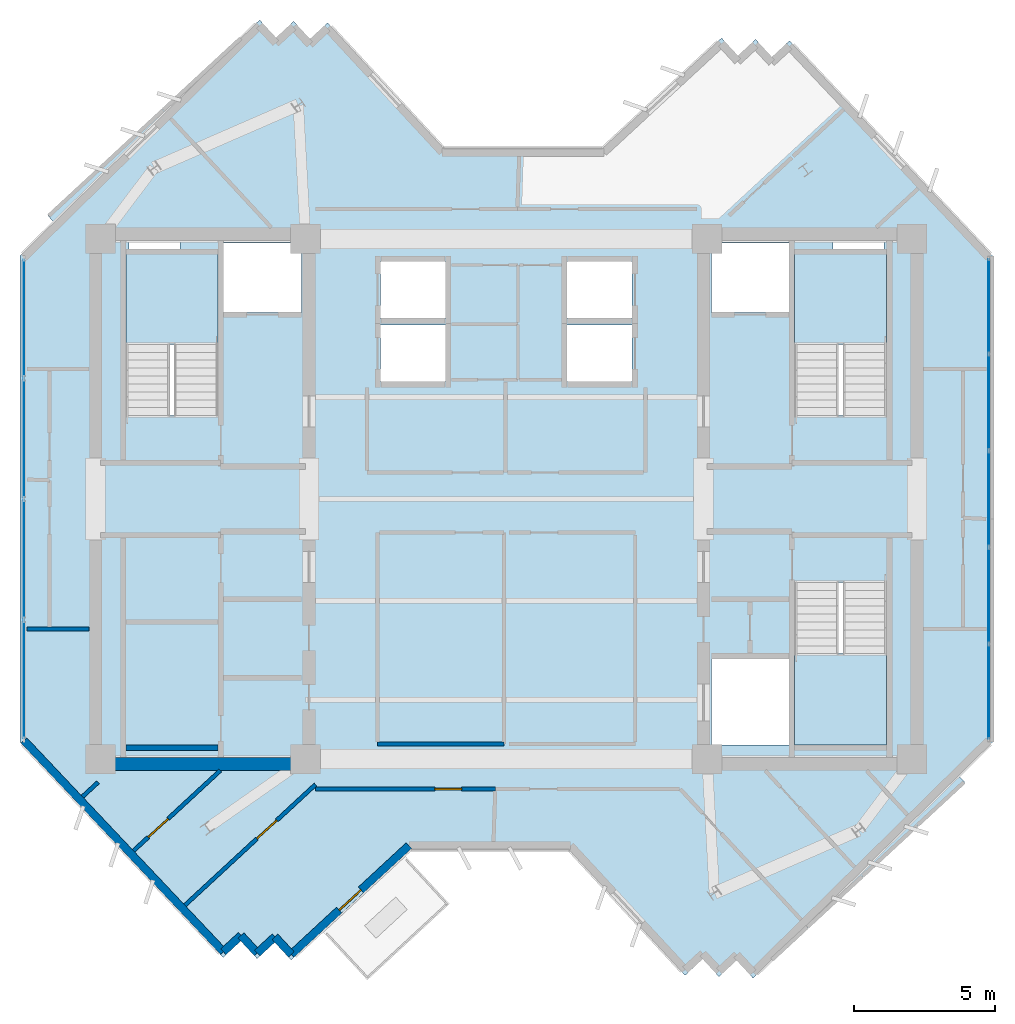
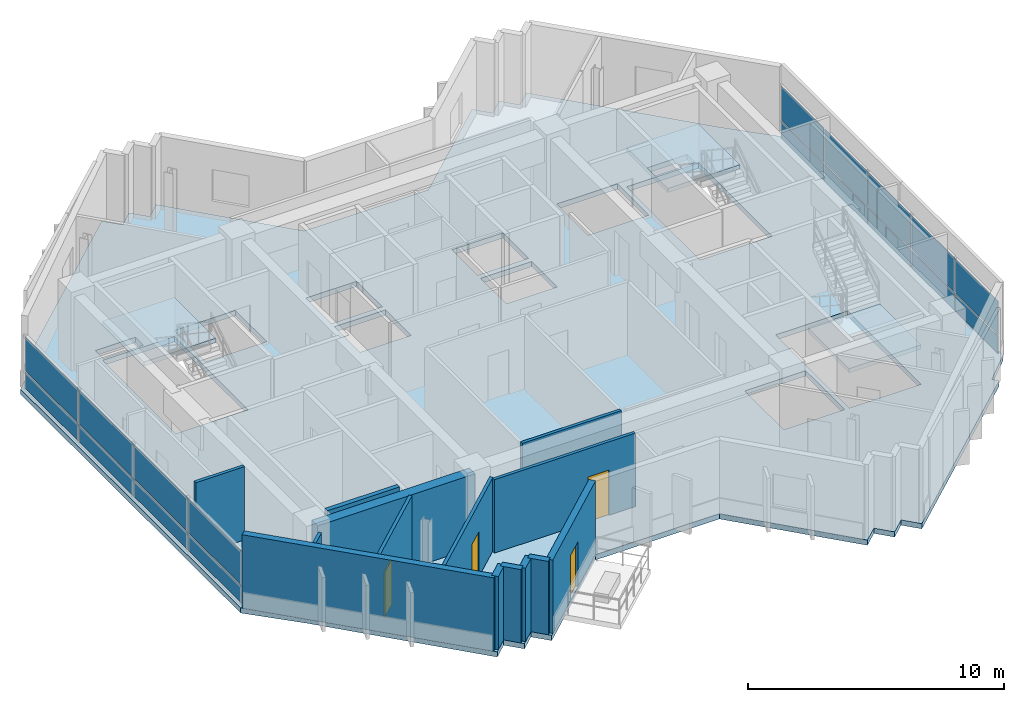
# One storey, part 3 of 9: 18 plates, 14 walls, 4 doors, 4 slabs, 4 openings, 5 elements without a shape of their own.
"""IFC4 building model written with IfcOpenShell, lengths in metres."""

from ifc_helpers import new_model, si_unit, direction, frame, frame_2d, origin, origin_2d, place, context, subcontext, project, spatial, polyline, rectangle, outline, extrude, source, transform, mapped, material, layer, layer_set, type_object, element, fill, aggregate, save


model = new_model("IFC4")

# Units and contexts
model_context = context("Model", 3, precision=1e-05, world=origin(), true_north=direction((0.0, 1.0)))
body_context = subcontext(model_context, "Body", "Model", "MODEL_VIEW")
ifc_project = project(units=[si_unit("LENGTHUNIT", "METRE"), si_unit("AREAUNIT", "SQUARE_METRE"), si_unit("VOLUMEUNIT", "CUBIC_METRE"), si_unit("PLANEANGLEUNIT", "RADIAN"), si_unit("MASSUNIT", "GRAM", prefix="KILO")], contexts=[model_context])

# Site, building, storey
site_placement = place(None, origin())
site = spatial("IfcSite", under=ifc_project, at=site_placement, CompositionType="ELEMENT")
building_placement = place(site_placement, origin())
building = spatial("IfcBuilding", under=site, at=building_placement, Name="Zahravan Cultural Tower", CompositionType="ELEMENT")
storey_placement = place(building_placement, frame((0.0, 0.0, 299.10009765625)))
storey = spatial("IfcBuildingStorey", under=building, at=storey_placement, Name="L72", CompositionType="ELEMENT", Elevation=299.10009765625)

# Stair, slab
ifc_material_1 = material(Name="Concrete C45/55", Category="concrete")
stair_type = type_object("IfcStairType", Name="STR-DL-1550-375", PredefinedType="HALF_TURN_STAIR", material=ifc_material_1)
stair_1_placement = place(storey_placement, origin())
stair_1 = element("IfcStair", 1, at=stair_1_placement, inside=storey, type_object=stair_type, Name="L72 West Core North Exit Stair ST-W1", PredefinedType="HALF_TURN_STAIR")
ifc_layer_1 = layer(ifc_material_1, 0.199951171875)
ifc_layer_set_1 = layer_set([ifc_layer_1], Name="Concrete C45/55")
slab_type_1 = type_object("IfcSlabType", Name="SL-STAIR-LND200", PredefinedType="LANDING", material=ifc_layer_set_1)
slab_1_placement = place(storey_placement, frame((0.0, 0.0, 1.6748046875)))
slab_1 = element("IfcSlab", 2, at=slab_1_placement, type_object=slab_type_1, Name="ST-W1 landing 1", PredefinedType="LANDING", context=body_context, shape_type="SweptSolid", body=[
    extrude(outline(polyline([(25.800048828125, 32.469970703125), (25.800048828125, 35.699951171875), (22.550048828125, 35.699951171875), (22.550048828125, 32.469970703125), (25.800048828125, 32.469970703125)])), origin(), (0.0, 0.0, 1.0), 0.2001953125),
])
aggregate(stair_1, [slab_1])

stair_2_placement = place(storey_placement, origin())
stair_2 = element("IfcStair", 3, at=stair_2_placement, inside=storey, type_object=stair_type, Name="L72 East Core North Exit Stair ST-E1", PredefinedType="HALF_TURN_STAIR")
slab_2_placement = place(storey_placement, frame((0.0, 0.0, 1.6748046875)))
slab_2 = element("IfcSlab", 4, at=slab_2_placement, type_object=slab_type_1, Name="ST-E1 landing 1", PredefinedType="LANDING", context=body_context, shape_type="SweptSolid", body=[
    extrude(outline(polyline([(49.449951171875, 32.469970703125), (49.449951171875, 35.699951171875), (46.199951171875, 35.699951171875), (46.199951171875, 32.469970703125), (49.449951171875, 32.469970703125)])), origin(), (0.0, 0.0, 1.0), 0.2001953125),
])
aggregate(stair_2, [slab_2])

stair_3_placement = place(storey_placement, origin())
stair_3 = element("IfcStair", 5, at=stair_3_placement, inside=storey, type_object=stair_type, Name="L72 East Core South Exit Stair ST-E2", PredefinedType="HALF_TURN_STAIR")
slab_3_placement = place(storey_placement, frame((0.0, 0.0, 1.6748046875)))
slab_3 = element("IfcSlab", 6, at=slab_3_placement, type_object=slab_type_1, Name="ST-E2 landing 1", PredefinedType="LANDING", context=body_context, shape_type="SweptSolid", body=[
    extrude(outline(polyline([(46.199951171875, 21.530029296875), (46.199951171875, 18.300048828125), (49.449951171875, 18.300048828125), (49.449951171875, 21.530029296875), (46.199951171875, 21.530029296875)])), origin(), (0.0, 0.0, 1.0), 0.2001953125),
])
aggregate(stair_3, [slab_3])

# Slab
ifc_material_2 = material(Name="Concrete C40/50", Category="concrete")
ifc_layer_2 = layer(ifc_material_2, 0.25)
ifc_layer_set_2 = layer_set([ifc_layer_2], Name="Concrete C40/50")
slab_type_2 = type_object("IfcSlabType", Name="SL-TYP-250", PredefinedType="FLOOR", material=ifc_layer_set_2)
slab_4_placement = place(storey_placement, frame((0.0, 0.0, -0.25)))
element("IfcSlab", 7, at=slab_4_placement, inside=storey, type_object=slab_type_2, Name="L72 Structural Floor Slab", PredefinedType="FLOOR", context=body_context, shape_type="SweptSolid", body=[
    extrude(outline(polyline([(39.391845703125, 39.39990234375), (33.79345703125, 39.39990234375), (29.6796875, 43.847900390625), (29.0556640625, 43.270751953125), (28.478515625, 43.894775390625), (27.8544921875, 43.3173828125), (27.27734375, 43.94140625), (19.789306640625, 37.015625), (19.994140625, 36.794189453125), (18.800048828125, 35.60009765625), (18.800048828125, 18.39990234375), (20.731689453125, 16.46826171875), (25.984375, 10.789306640625), (26.6083984375, 11.366455078125), (27.185546875, 10.742431640625), (27.8095703125, 11.319580078125), (28.38671875, 10.695556640625), (32.608154296875, 14.60009765625), (38.20654296875, 14.60009765625), (42.3203125, 10.152099609375), (42.9443359375, 10.729248046875), (43.521484375, 10.105224609375), (44.1455078125, 10.6826171875), (44.72265625, 10.05859375), (52.210693359375, 16.984375), (52.005859375, 17.205810546875), (53.199951171875, 18.39990234375), (53.199951171875, 35.60009765625), (51.268310546875, 37.53173828125), (46.015625, 43.210693359375), (45.3916015625, 42.633544921875), (44.814453125, 43.257568359375), (44.1904296875, 42.680419921875), (43.61328125, 43.304443359375), (39.391845703125, 39.39990234375)]), holes=[polyline([(22.550048828125, 29.949951171875), (22.550048828125, 35.699951171875), (25.800048828125, 35.699951171875), (25.800048828125, 29.949951171875), (22.550048828125, 29.949951171875)]), polyline([(46.199951171875, 29.949951171875), (46.199951171875, 35.699951171875), (49.449951171875, 35.699951171875), (49.449951171875, 29.949951171875), (46.199951171875, 29.949951171875)]), polyline([(46.199951171875, 18.300048828125), (46.199951171875, 24.050048828125), (49.449951171875, 24.050048828125), (49.449951171875, 18.300048828125), (46.199951171875, 18.300048828125)]), polyline([(26.0, 33.60009765625), (26.0, 36.050048828125), (28.75, 36.050048828125), (28.75, 33.60009765625), (26.0, 33.60009765625)]), polyline([(43.25, 33.60009765625), (43.25, 36.050048828125), (46.0, 36.050048828125), (46.0, 33.60009765625), (43.25, 33.60009765625)]), polyline([(43.25, 18.300048828125), (43.25, 21.35009765625), (46.0, 21.35009765625), (46.0, 18.300048828125), (43.25, 18.300048828125)]), polyline([(31.550048828125, 33.39990234375), (31.550048828125, 35.39990234375), (33.85009765625, 35.39990234375), (33.85009765625, 33.39990234375), (31.550048828125, 33.39990234375)]), polyline([(31.550048828125, 31.14990234375), (31.550048828125, 33.14990234375), (33.85009765625, 33.14990234375), (33.85009765625, 31.14990234375), (31.550048828125, 31.14990234375)]), polyline([(38.14990234375, 33.39990234375), (38.14990234375, 35.39990234375), (40.449951171875, 35.39990234375), (40.449951171875, 33.39990234375), (38.14990234375, 33.39990234375)]), polyline([(38.14990234375, 31.14990234375), (38.14990234375, 33.14990234375), (40.449951171875, 33.14990234375), (40.449951171875, 31.14990234375), (38.14990234375, 31.14990234375)]), polyline([(22.64990234375, 35.800048828125), (22.64990234375, 36.419921875), (24.449951171875, 36.419921875), (24.449951171875, 35.800048828125), (22.64990234375, 35.800048828125)]), polyline([(47.550048828125, 35.800048828125), (47.550048828125, 36.419921875), (49.35009765625, 36.419921875), (49.35009765625, 35.800048828125), (47.550048828125, 35.800048828125)])]), origin(), (0.0, 0.0, 1.0), 0.25),
])

# Curtain wall, plates
ifc_material_3 = material(Name="Anodised bronze-aluminium mullion", Category="aluminium")
ifc_layer_3 = layer(ifc_material_3, 0.1650390625)
ifc_layer_set_3 = layer_set([ifc_layer_3], Name="Anodised bronze-aluminium mullion")
curtain_wall_type_1 = type_object("IfcCurtainWallType", Name="CW-SYS-4", PredefinedType="USERDEFINED", material=ifc_layer_set_3)
curtain_wall_1_placement = place(storey_placement, origin())
curtain_wall_1 = element("IfcCurtainWall", 8, at=curtain_wall_1_placement, inside=storey, type_object=curtain_wall_type_1, Name="L72 Recessed Curtain Wall CW-4.1", ObjectType="RECESSED GLAZING", PredefinedType="USERDEFINED")
ifc_material_4 = material(Name="Low-E solar-control double glazing", Category="glass")
ifc_layer_4 = layer(ifc_material_4, 0.02587890625)
ifc_layer_set_4 = layer_set([ifc_layer_4], Name="Low-E solar-control double glazing")
plate_type_1 = type_object("IfcPlateType", Name="CWP-CW-4", PredefinedType="CURTAIN_PANEL", material=ifc_layer_set_4)
shared_shape_1 = source(origin(), body_context, "Body", "SweptSolid", [
    extrude(rectangle(XDim=3.3193359375, YDim=0.02587890625, at=origin_2d()), origin(), (0.0, 0.0, 1.0), 0.802490234375),
])
plate_1_placement = place(storey_placement, frame((53.06005859375, 33.8173828125, 0.06494140625), z_axis=(0.0, 0.0, 1.0), x_axis=(0.0, -1.0, 0.0)))
plate_1 = element("IfcPlate", 9, at=plate_1_placement, type_object=plate_type_1, Name="CW-4 panel 1.1", PredefinedType="CURTAIN_PANEL", context=body_context, shape_type="MappedRepresentation", body=[
    mapped(shared_shape_1, transform((0.0, 0.0, 0.0), x_axis=(1.0, 0.0, 0.0), y_axis=(0.0, 1.0, 0.0), z_axis=(0.0, 0.0, 1.0), scale=1.0)),
])
plate_2_placement = place(storey_placement, frame((53.06005859375, 20.1826171875, 0.06494140625), z_axis=(0.0, 0.0, 1.0), x_axis=(0.0, -1.0, 0.0)))
plate_2 = element("IfcPlate", 10, at=plate_2_placement, type_object=plate_type_1, Name="CW-4 panel 5.1", PredefinedType="CURTAIN_PANEL", context=body_context, shape_type="MappedRepresentation", body=[
    mapped(shared_shape_1, transform((0.0, 0.0, 0.0), x_axis=(1.0, 0.0, 0.0), y_axis=(0.0, 1.0, 0.0), z_axis=(0.0, 0.0, 1.0), scale=1.0)),
])
shared_shape_2 = source(origin(), body_context, "Body", "SweptSolid", [
    extrude(rectangle(XDim=3.3193359375, YDim=0.02587890625, at=origin_2d()), origin(), (0.0, 0.0, 1.0), 1.62255859375),
])
plate_3_placement = place(storey_placement, frame((53.06005859375, 33.8173828125, 0.932373046875), z_axis=(0.0, 0.0, 1.0), x_axis=(0.0, -1.0, 0.0)))
plate_3 = element("IfcPlate", 11, at=plate_3_placement, type_object=plate_type_1, Name="CW-4 panel 1.2", PredefinedType="CURTAIN_PANEL", context=body_context, shape_type="MappedRepresentation", body=[
    mapped(shared_shape_2, transform((0.0, 0.0, 0.0), x_axis=(1.0, 0.0, 0.0), y_axis=(0.0, 1.0, 0.0), z_axis=(0.0, 0.0, 1.0), scale=1.0)),
])
plate_4_placement = place(storey_placement, frame((53.06005859375, 20.1826171875, 0.932373046875), z_axis=(0.0, 0.0, 1.0), x_axis=(0.0, -1.0, 0.0)))
plate_4 = element("IfcPlate", 12, at=plate_4_placement, type_object=plate_type_1, Name="CW-4 panel 5.2", PredefinedType="CURTAIN_PANEL", context=body_context, shape_type="MappedRepresentation", body=[
    mapped(shared_shape_2, transform((0.0, 0.0, 0.0), x_axis=(1.0, 0.0, 0.0), y_axis=(0.0, 1.0, 0.0), z_axis=(0.0, 0.0, 1.0), scale=1.0)),
])
shared_shape_3 = source(origin(), body_context, "Body", "SweptSolid", [
    extrude(rectangle(XDim=3.351806640625, YDim=0.02587890625, at=origin_2d()), origin(), (0.0, 0.0, 1.0), 0.802490234375),
])
plate_5_placement = place(storey_placement, frame((53.06005859375, 30.416748046875, 0.06494140625), z_axis=(0.0, 0.0, 1.0), x_axis=(0.0, -1.0, 0.0)))
plate_5 = element("IfcPlate", 13, at=plate_5_placement, type_object=plate_type_1, Name="CW-4 panel 2.1", PredefinedType="CURTAIN_PANEL", context=body_context, shape_type="MappedRepresentation", body=[
    mapped(shared_shape_3, transform((0.0, 0.0, 0.0), x_axis=(1.0, 0.0, 0.0), y_axis=(0.0, 1.0, 0.0), z_axis=(0.0, 0.0, 1.0), scale=1.0)),
])
plate_6_placement = place(storey_placement, frame((53.06005859375, 27.0, 0.06494140625), z_axis=(0.0, 0.0, 1.0), x_axis=(0.0, -1.0, 0.0)))
plate_6 = element("IfcPlate", 14, at=plate_6_placement, type_object=plate_type_1, Name="CW-4 panel 3.1", PredefinedType="CURTAIN_PANEL", context=body_context, shape_type="MappedRepresentation", body=[
    mapped(shared_shape_3, transform((0.0, 0.0, 0.0), x_axis=(1.0, 0.0, 0.0), y_axis=(0.0, 1.0, 0.0), z_axis=(0.0, 0.0, 1.0), scale=1.0)),
])
plate_7_placement = place(storey_placement, frame((53.06005859375, 23.583251953125, 0.06494140625), z_axis=(0.0, 0.0, 1.0), x_axis=(0.0, -1.0, 0.0)))
plate_7 = element("IfcPlate", 15, at=plate_7_placement, type_object=plate_type_1, Name="CW-4 panel 4.1", PredefinedType="CURTAIN_PANEL", context=body_context, shape_type="MappedRepresentation", body=[
    mapped(shared_shape_3, transform((0.0, 0.0, 0.0), x_axis=(1.0, 0.0, 0.0), y_axis=(0.0, 1.0, 0.0), z_axis=(0.0, 0.0, 1.0), scale=1.0)),
])
shared_shape_4 = source(origin(), body_context, "Body", "SweptSolid", [
    extrude(rectangle(XDim=3.351806640625, YDim=0.02587890625, at=origin_2d()), origin(), (0.0, 0.0, 1.0), 1.62255859375),
])
plate_8_placement = place(storey_placement, frame((53.06005859375, 30.416748046875, 0.932373046875), z_axis=(0.0, 0.0, 1.0), x_axis=(0.0, -1.0, 0.0)))
plate_8 = element("IfcPlate", 16, at=plate_8_placement, type_object=plate_type_1, Name="CW-4 panel 2.2", PredefinedType="CURTAIN_PANEL", context=body_context, shape_type="MappedRepresentation", body=[
    mapped(shared_shape_4, transform((0.0, 0.0, 0.0), x_axis=(1.0, 0.0, 0.0), y_axis=(0.0, 1.0, 0.0), z_axis=(0.0, 0.0, 1.0), scale=1.0)),
])
plate_9_placement = place(storey_placement, frame((53.06005859375, 27.0, 0.932373046875), z_axis=(0.0, 0.0, 1.0), x_axis=(0.0, -1.0, 0.0)))
plate_9 = element("IfcPlate", 17, at=plate_9_placement, type_object=plate_type_1, Name="CW-4 panel 3.2", PredefinedType="CURTAIN_PANEL", context=body_context, shape_type="MappedRepresentation", body=[
    mapped(shared_shape_4, transform((0.0, 0.0, 0.0), x_axis=(1.0, 0.0, 0.0), y_axis=(0.0, 1.0, 0.0), z_axis=(0.0, 0.0, 1.0), scale=1.0)),
])
plate_10_placement = place(storey_placement, frame((53.06005859375, 23.583251953125, 0.932373046875), z_axis=(0.0, 0.0, 1.0), x_axis=(0.0, -1.0, 0.0)))
plate_10 = element("IfcPlate", 18, at=plate_10_placement, type_object=plate_type_1, Name="CW-4 panel 4.2", PredefinedType="CURTAIN_PANEL", context=body_context, shape_type="MappedRepresentation", body=[
    mapped(shared_shape_4, transform((0.0, 0.0, 0.0), x_axis=(1.0, 0.0, 0.0), y_axis=(0.0, 1.0, 0.0), z_axis=(0.0, 0.0, 1.0), scale=1.0)),
])
aggregate(curtain_wall_1, [plate_1, plate_3, plate_5, plate_8, plate_6, plate_9, plate_7, plate_10, plate_2, plate_4])

ifc_layer_5 = layer(ifc_material_3, 0.219970703125)
ifc_layer_set_5 = layer_set([ifc_layer_5], Name="Anodised bronze-aluminium mullion")
curtain_wall_type_2 = type_object("IfcCurtainWallType", Name="CW-SYS-1", PredefinedType="USERDEFINED", material=ifc_layer_set_5)
curtain_wall_2_placement = place(storey_placement, origin())
curtain_wall_2 = element("IfcCurtainWall", 19, at=curtain_wall_2_placement, inside=storey, type_object=curtain_wall_type_2, Name="L72 Recessed Curtain Wall CW-1.2", ObjectType="RECESSED GLAZING", PredefinedType="USERDEFINED")
ifc_layer_6 = layer(ifc_material_4, 0.031982421875)
ifc_layer_set_6 = layer_set([ifc_layer_6], Name="Low-E solar-control double glazing")
plate_type_2 = type_object("IfcPlateType", Name="CWP-CW-1", PredefinedType="CURTAIN_PANEL", material=ifc_layer_set_6)
shared_shape_5 = source(origin(), body_context, "Body", "SweptSolid", [
    extrude(rectangle(XDim=4.15087890625, YDim=0.031982421875, at=origin_2d()), origin(), (0.0, 0.0, 1.0), 0.780029296875),
])
plate_11_placement = place(storey_placement, frame((18.93994140625, 20.613525390625, 0.080078125), z_axis=(0.0, 0.0, 1.0), x_axis=(0.0, 1.0, 0.0)))
plate_11 = element("IfcPlate", 20, at=plate_11_placement, type_object=plate_type_2, Name="CW-1 panel 1.1", PredefinedType="CURTAIN_PANEL", context=body_context, shape_type="MappedRepresentation", body=[
    mapped(shared_shape_5, transform((0.0, 0.0, 0.0), x_axis=(1.0, 0.0, 0.0), y_axis=(0.0, 1.0, 0.0), z_axis=(0.0, 0.0, 1.0), scale=1.0)),
])
plate_12_placement = place(storey_placement, frame((18.93994140625, 33.386474609375, 0.080078125), z_axis=(0.0, 0.0, 1.0), x_axis=(0.0, 1.0, 0.0)))
plate_12 = element("IfcPlate", 21, at=plate_12_placement, type_object=plate_type_2, Name="CW-1 panel 4.1", PredefinedType="CURTAIN_PANEL", context=body_context, shape_type="MappedRepresentation", body=[
    mapped(shared_shape_5, transform((0.0, 0.0, 0.0), x_axis=(1.0, 0.0, 0.0), y_axis=(0.0, 1.0, 0.0), z_axis=(0.0, 0.0, 1.0), scale=1.0)),
])
shared_shape_6 = source(origin(), body_context, "Body", "SweptSolid", [
    extrude(rectangle(XDim=4.15087890625, YDim=0.031982421875, at=origin_2d()), origin(), (0.0, 0.0, 1.0), 1.60009765625),
])
plate_13_placement = place(storey_placement, frame((18.93994140625, 20.613525390625, 0.93994140625), z_axis=(0.0, 0.0, 1.0), x_axis=(0.0, 1.0, 0.0)))
plate_13 = element("IfcPlate", 22, at=plate_13_placement, type_object=plate_type_2, Name="CW-1 panel 1.2", PredefinedType="CURTAIN_PANEL", context=body_context, shape_type="MappedRepresentation", body=[
    mapped(shared_shape_6, transform((0.0, 0.0, 0.0), x_axis=(1.0, 0.0, 0.0), y_axis=(0.0, 1.0, 0.0), z_axis=(0.0, 0.0, 1.0), scale=1.0)),
])
plate_14_placement = place(storey_placement, frame((18.93994140625, 33.386474609375, 0.93994140625), z_axis=(0.0, 0.0, 1.0), x_axis=(0.0, 1.0, 0.0)))
plate_14 = element("IfcPlate", 23, at=plate_14_placement, type_object=plate_type_2, Name="CW-1 panel 4.2", PredefinedType="CURTAIN_PANEL", context=body_context, shape_type="MappedRepresentation", body=[
    mapped(shared_shape_6, transform((0.0, 0.0, 0.0), x_axis=(1.0, 0.0, 0.0), y_axis=(0.0, 1.0, 0.0), z_axis=(0.0, 0.0, 1.0), scale=1.0)),
])
shared_shape_7 = source(origin(), body_context, "Body", "SweptSolid", [
    extrude(rectangle(XDim=4.19091796875, YDim=0.031982421875, at=origin_2d()), origin(), (0.0, 0.0, 1.0), 0.780029296875),
])
plate_15_placement = place(storey_placement, frame((18.93994140625, 24.864501953125, 0.080078125), z_axis=(0.0, 0.0, 1.0), x_axis=(0.0, 1.0, 0.0)))
plate_15 = element("IfcPlate", 24, at=plate_15_placement, type_object=plate_type_2, Name="CW-1 panel 2.1", PredefinedType="CURTAIN_PANEL", context=body_context, shape_type="MappedRepresentation", body=[
    mapped(shared_shape_7, transform((0.0, 0.0, 0.0), x_axis=(1.0, 0.0, 0.0), y_axis=(0.0, 1.0, 0.0), z_axis=(0.0, 0.0, 1.0), scale=1.0)),
])
plate_16_placement = place(storey_placement, frame((18.93994140625, 29.135498046875, 0.080078125), z_axis=(0.0, 0.0, 1.0), x_axis=(0.0, 1.0, 0.0)))
plate_16 = element("IfcPlate", 25, at=plate_16_placement, type_object=plate_type_2, Name="CW-1 panel 3.1", PredefinedType="CURTAIN_PANEL", context=body_context, shape_type="MappedRepresentation", body=[
    mapped(shared_shape_7, transform((0.0, 0.0, 0.0), x_axis=(1.0, 0.0, 0.0), y_axis=(0.0, 1.0, 0.0), z_axis=(0.0, 0.0, 1.0), scale=1.0)),
])
shared_shape_8 = source(origin(), body_context, "Body", "SweptSolid", [
    extrude(rectangle(XDim=4.19091796875, YDim=0.031982421875, at=origin_2d()), origin(), (0.0, 0.0, 1.0), 1.60009765625),
])
plate_17_placement = place(storey_placement, frame((18.93994140625, 24.864501953125, 0.93994140625), z_axis=(0.0, 0.0, 1.0), x_axis=(0.0, 1.0, 0.0)))
plate_17 = element("IfcPlate", 26, at=plate_17_placement, type_object=plate_type_2, Name="CW-1 panel 2.2", PredefinedType="CURTAIN_PANEL", context=body_context, shape_type="MappedRepresentation", body=[
    mapped(shared_shape_8, transform((0.0, 0.0, 0.0), x_axis=(1.0, 0.0, 0.0), y_axis=(0.0, 1.0, 0.0), z_axis=(0.0, 0.0, 1.0), scale=1.0)),
])
plate_18_placement = place(storey_placement, frame((18.93994140625, 29.135498046875, 0.93994140625), z_axis=(0.0, 0.0, 1.0), x_axis=(0.0, 1.0, 0.0)))
plate_18 = element("IfcPlate", 27, at=plate_18_placement, type_object=plate_type_2, Name="CW-1 panel 3.2", PredefinedType="CURTAIN_PANEL", context=body_context, shape_type="MappedRepresentation", body=[
    mapped(shared_shape_8, transform((0.0, 0.0, 0.0), x_axis=(1.0, 0.0, 0.0), y_axis=(0.0, 1.0, 0.0), z_axis=(0.0, 0.0, 1.0), scale=1.0)),
])
aggregate(curtain_wall_2, [plate_11, plate_13, plate_15, plate_17, plate_16, plate_18, plate_12, plate_14])

# Wall, opening, door
ifc_material_5 = material(Name="Precast concrete C40/50", Category="concrete")
ifc_layer_7 = layer(ifc_material_5, 0.280029296875)
ifc_layer_set_7 = layer_set([ifc_layer_7], Name="Precast concrete C40/50")
wall_type_1 = type_object("IfcWallType", Name="EW-TC-280", PredefinedType="SOLIDWALL", material=ifc_layer_set_7)
wall_1_placement = place(storey_placement, frame((32.55322265625, 14.739990234375, 0.0), z_axis=(0.0, 0.0, 1.0), x_axis=(-0.734109106874, -0.679031530346, 0.0)))
wall_1 = element("IfcWall", 28, at=wall_1_placement, inside=storey, type_object=wall_type_1, Name="L72 Exterior Masonry Frame Wall 14", PredefinedType="SOLIDWALL", context=body_context, shape_type="SweptSolid", body=[
    extrude(rectangle(XDim=5.6650390625, YDim=0.280029296875, at=frame_2d((2.83251953125, 0.0))), origin(), (0.0, 0.0, 1.0), 3.5),
])
opening_1_placement = place(wall_1_placement, frame((2.306884765625, 0.0, 0.0)))
opening_1 = element("IfcOpeningElement", 29, at=opening_1_placement, cuts=wall_1, Name="Opening D-L72-TR-SW", PredefinedType="OPENING", context=body_context, shape_type="SweptSolid", body=[
    extrude(rectangle(XDim=1.050048828125, YDim=2.14990234375, at=frame_2d((0.52490234375, 1.074951171875))), frame((0.0, 0.14990234375, 0.0), z_axis=(0.0, -1.0, 0.0), x_axis=(1.0, 0.0, 0.0)), (0.0, 0.0, 1.0), 0.300048828125),
])
door_type_1 = type_object("IfcDoorType", Name="DR-TERR-1050", OperationType="NOTDEFINED", PredefinedType="DOOR", material=ifc_material_3)
shared_shape_9 = source(origin(), body_context, "Body", "SweptSolid", [
    extrude(rectangle(XDim=1.050048828125, YDim=2.14990234375, at=frame_2d((0.52490234375, 1.074951171875))), frame((0.0, 0.02490234375, 0.0), z_axis=(0.0, -1.0, 0.0), x_axis=(1.0, 0.0, 0.0)), (0.0, 0.0, 1.0), 0.050048828125),
])
door_1_placement = place(opening_1_placement, origin())
door_1 = element("IfcDoor", 30, at=door_1_placement, inside=storey, type_object=door_type_1, Name="L72 Terrace Access Door SW", OperationType="SINGLE_SWING_LEFT", OverallHeight=2.14990234375, OverallWidth=1.050048828125, PredefinedType="DOOR", context=body_context, shape_type="MappedRepresentation", body=[
    mapped(shared_shape_9, transform((0.0, 0.0, 0.0), x_axis=(1.0, 0.0, 0.0), y_axis=(0.0, 1.0, 0.0), z_axis=(0.0, 0.0, 1.0), scale=1.0)),
])
fill(opening_1, door_1)

ifc_material_6 = material(Name="Gypsum plasterboard partition")
ifc_layer_8 = layer(ifc_material_6, 0.139892578125)
ifc_layer_set_8 = layer_set([ifc_layer_8], Name="Gypsum plasterboard partition")
wall_type_2 = type_object("IfcWallType", Name="W-PART-140", PredefinedType="PARTITIONING", material=ifc_layer_set_8)
wall_2_placement = place(storey_placement, frame((25.880615234375, 17.39501953125, 0.0), z_axis=(0.0, 0.0, 1.0), x_axis=(-0.734127876216, -0.679011238024, 0.0)))
wall_2 = element("IfcWall", 31, at=wall_2_placement, inside=storey, type_object=wall_type_2, Name="L72 Interior Wall 050", PredefinedType="PARTITIONING", context=body_context, shape_type="SweptSolid", body=[
    extrude(rectangle(XDim=4.172607421875, YDim=0.139892578125, at=frame_2d((2.08642578125, 0.0))), origin(), (0.0, 0.0, 1.0), 3.5),
])
opening_2_placement = place(wall_2_placement, frame((2.513671875, 0.0, 0.0)))
opening_2 = element("IfcOpeningElement", 32, at=opening_2_placement, cuts=wall_2, Name="Opening D-L72-33", PredefinedType="OPENING", context=body_context, shape_type="SweptSolid", body=[
    extrude(rectangle(XDim=0.949951171875, YDim=2.14990234375, at=frame_2d((0.47509765625, 1.074951171875))), frame((0.0, 0.079833984375, 0.0), z_axis=(0.0, -1.0, 0.0), x_axis=(1.0, 0.0, 0.0)), (0.0, 0.0, 1.0), 0.159912109375),
])
door_type_2 = type_object("IfcDoorType", Name="DR-ROOM-950", OperationType="NOTDEFINED", PredefinedType="DOOR", material=ifc_material_3)
shared_shape_10 = source(origin(), body_context, "Body", "SweptSolid", [
    extrude(rectangle(XDim=0.949951171875, YDim=2.14990234375, at=frame_2d((0.47509765625, 1.074951171875))), frame((0.0, 0.02490234375, 0.0), z_axis=(0.0, -1.0, 0.0), x_axis=(1.0, 0.0, 0.0)), (0.0, 0.0, 1.0), 0.050048828125),
])
door_2_placement = place(opening_2_placement, origin())
door_2 = element("IfcDoor", 33, at=door_2_placement, inside=storey, type_object=door_type_2, Name="L72 Door D-L72-33", OperationType="SINGLE_SWING_RIGHT", OverallHeight=2.14990234375, OverallWidth=0.949951171875, PredefinedType="DOOR", context=body_context, shape_type="MappedRepresentation", body=[
    mapped(shared_shape_10, transform((0.0, 0.0, 0.0), x_axis=(1.0, 0.0, 0.0), y_axis=(0.0, 1.0, 0.0), z_axis=(0.0, 0.0, 1.0), scale=1.0)),
])
fill(opening_2, door_2)

wall_3_placement = place(storey_placement, frame((29.25, 16.90185546875, 0.0), z_axis=(0.0, 0.0, 1.0), x_axis=(-0.734113479195, -0.679026803347, 0.0)))
wall_3 = element("IfcWall", 34, at=wall_3_placement, inside=storey, type_object=wall_type_2, Name="L72 Interior Wall 055", PredefinedType="PARTITIONING", context=body_context, shape_type="SweptSolid", body=[
    extrude(rectangle(XDim=6.284423828125, YDim=0.139892578125, at=frame_2d((3.14208984375, 0.0))), origin(), (0.0, 0.0, 1.0), 3.5),
])
opening_3_placement = place(wall_3_placement, frame((1.8671875, 0.0, 0.0)))
opening_3 = element("IfcOpeningElement", 35, at=opening_3_placement, cuts=wall_3, Name="Opening D-L72-30", PredefinedType="OPENING", context=body_context, shape_type="SweptSolid", body=[
    extrude(rectangle(XDim=0.949951171875, YDim=2.14990234375, at=frame_2d((0.47509765625, 1.074951171875))), frame((0.0, 0.079833984375, 0.0), z_axis=(0.0, -1.0, 0.0), x_axis=(1.0, 0.0, 0.0)), (0.0, 0.0, 1.0), 0.159912109375),
])
door_3_placement = place(opening_3_placement, origin())
door_3 = element("IfcDoor", 36, at=door_3_placement, inside=storey, type_object=door_type_2, Name="L72 Door D-L72-30", OperationType="SINGLE_SWING_LEFT", OverallHeight=2.14990234375, OverallWidth=0.949951171875, PredefinedType="DOOR", context=body_context, shape_type="MappedRepresentation", body=[
    mapped(shared_shape_10, transform((0.0, 0.0, 0.0), x_axis=(1.0, 0.0, 0.0), y_axis=(0.0, 1.0, 0.0), z_axis=(0.0, 0.0, 1.0), scale=1.0)),
])
fill(opening_3, door_3)

wall_4_placement = place(storey_placement, frame((29.255859375, 16.739990234375, 0.0), z_axis=(0.0, 0.0, 1.0), x_axis=(1.0, 0.0, 0.0)))
wall_4 = element("IfcWall", 37, at=wall_4_placement, inside=storey, type_object=wall_type_2, Name="L72 Interior Wall 088", PredefinedType="PARTITIONING", context=body_context, shape_type="SweptSolid", body=[
    extrude(rectangle(XDim=6.35400390625, YDim=0.139892578125, at=frame_2d((3.177001953125, 0.0))), origin(), (0.0, 0.0, 1.0), 3.5),
])
opening_4_placement = place(wall_4_placement, frame((4.215087890625, 0.0, 0.0)))
opening_4 = element("IfcOpeningElement", 38, at=opening_4_placement, cuts=wall_4, Name="Opening D-L72-25", PredefinedType="OPENING", context=body_context, shape_type="SweptSolid", body=[
    extrude(rectangle(XDim=0.949951171875, YDim=2.14990234375, at=frame_2d((0.47509765625, 1.074951171875))), frame((0.0, 0.079833984375, 0.0), z_axis=(0.0, -1.0, 0.0), x_axis=(1.0, 0.0, 0.0)), (0.0, 0.0, 1.0), 0.159912109375),
])
door_4_placement = place(opening_4_placement, origin())
door_4 = element("IfcDoor", 39, at=door_4_placement, inside=storey, type_object=door_type_2, Name="L72 Door D-L72-25", OperationType="SINGLE_SWING_RIGHT", OverallHeight=2.14990234375, OverallWidth=0.949951171875, PredefinedType="DOOR", context=body_context, shape_type="MappedRepresentation", body=[
    mapped(shared_shape_10, transform((0.0, 0.0, 0.0), x_axis=(1.0, 0.0, 0.0), y_axis=(0.0, 1.0, 0.0), z_axis=(0.0, 0.0, 1.0), scale=1.0)),
])
fill(opening_4, door_4)

# Walls
ifc_material_7 = material(Name="Concrete C50/60", Category="concrete")
ifc_layer_9 = layer(ifc_material_7, 0.449951171875)
ifc_layer_set_9 = layer_set([ifc_layer_9], Name="Concrete C50/60")
wall_type_3 = type_object("IfcWallType", Name="CW-SHEAR-450-C50", PredefinedType="SHEAR", material=ifc_layer_set_9)
shared_shape_11 = source(origin(), body_context, "Body", "SweptSolid", [
    extrude(rectangle(XDim=7.10009765625, YDim=0.449951171875, at=frame_2d((3.550048828125, 0.0))), origin(), (0.0, 0.0, 1.0), 3.5),
])
wall_5_placement = place(storey_placement, frame((21.699951171875, 17.625, 0.0), z_axis=(0.0, 0.0, 1.0), x_axis=(1.0, 0.0, 0.0)))
element("IfcWall", 40, at=wall_5_placement, inside=storey, type_object=wall_type_3, Name="L72 Core Shear Wall CW-W-S-L72", PredefinedType="SHEAR", context=body_context, shape_type="MappedRepresentation", body=[
    mapped(shared_shape_11, transform((0.0, 0.0, 0.0), x_axis=(1.0, 0.0, 0.0), y_axis=(0.0, 1.0, 0.0), z_axis=(0.0, 0.0, 1.0), scale=1.0)),
])
shared_shape_12 = source(origin(), body_context, "Body", "SweptSolid", [
    extrude(rectangle(XDim=0.85009765625, YDim=0.280029296875, at=frame_2d((0.425048828125, 0.0))), origin(), (0.0, 0.0, 1.0), 3.5),
])
for number, where, z_axis, x_axis, name in (
    (41, (28.39453125, 10.893310546875, 0.0), (0.0, 0.0, 1.0), (-0.67899554472, 0.734142390991, 0.0), "L72 Exterior Masonry Frame Wall 15"),
    (42, (27.8173828125, 11.517333984375, 0.0), (0.0, 0.0, 1.0), (-0.734142390991, -0.67899554472, 0.0), "L72 Exterior Masonry Frame Wall 16"),
    (43, (27.193359375, 10.940185546875, 0.0), (0.0, 0.0, 1.0), (-0.67899554472, 0.734142390991, 0.0), "L72 Exterior Masonry Frame Wall 17"),
    (44, (26.6162109375, 11.564208984375, 0.0), (0.0, 0.0, 1.0), (-0.734142390991, -0.67899554472, 0.0), "L72 Exterior Masonry Frame Wall 18"),
):
    element("IfcWall", number, at=place(storey_placement, frame(where, z_axis=z_axis, x_axis=x_axis)), inside=storey, type_object=wall_type_1, Name=name, PredefinedType="SOLIDWALL", context=body_context, shape_type="MappedRepresentation", body=[
        mapped(shared_shape_12, transform((0.0, 0.0, 0.0), x_axis=(1.0, 0.0, 0.0), y_axis=(0.0, 1.0, 0.0), z_axis=(0.0, 0.0, 1.0), scale=1.0)),
    ])
shared_shape_13 = source(origin(), body_context, "Body", "SweptSolid", [
    extrude(rectangle(XDim=10.273681640625, YDim=0.280029296875, at=frame_2d((5.13671875, 0.0))), origin(), (0.0, 0.0, 1.0), 3.5),
])
wall_6_placement = place(storey_placement, frame((25.9921875, 10.987060546875, 0.0), z_axis=(0.0, 0.0, 1.0), x_axis=(-0.68643580465, 0.727190405667, 0.0)))
element("IfcWall", 45, at=wall_6_placement, inside=storey, type_object=wall_type_1, Name="L72 Exterior Masonry Frame Wall 19", PredefinedType="SOLIDWALL", context=body_context, shape_type="MappedRepresentation", body=[
    mapped(shared_shape_13, transform((0.0, 0.0, 0.0), x_axis=(1.0, 0.0, 0.0), y_axis=(0.0, 1.0, 0.0), z_axis=(0.0, 0.0, 1.0), scale=1.0)),
])
ifc_layer_10 = layer(ifc_material_1, 0.199951171875)
ifc_layer_set_10 = layer_set([ifc_layer_10], Name="Concrete C45/55")
wall_type_4 = type_object("IfcWallType", Name="W-SHAFT-200", PredefinedType="SOLIDWALL", material=ifc_layer_set_10)
shared_shape_14 = source(origin(), body_context, "Body", "SweptSolid", [
    extrude(rectangle(XDim=3.25, YDim=0.199951171875, at=frame_2d((1.625, 0.0))), origin(), (0.0, 0.0, 1.0), 3.5),
])
wall_7_placement = place(storey_placement, frame((22.550048828125, 18.199951171875, 0.0), z_axis=(0.0, 0.0, 1.0), x_axis=(1.0, 0.0, 0.0)))
element("IfcWall", 46, at=wall_7_placement, inside=storey, type_object=wall_type_4, Name="L72 Interior Wall 019", PredefinedType="SOLIDWALL", context=body_context, shape_type="MappedRepresentation", body=[
    mapped(shared_shape_14, transform((0.0, 0.0, 0.0), x_axis=(1.0, 0.0, 0.0), y_axis=(0.0, 1.0, 0.0), z_axis=(0.0, 0.0, 1.0), scale=1.0)),
])
shared_shape_15 = source(origin(), body_context, "Body", "SweptSolid", [
    extrude(rectangle(XDim=4.469970703125, YDim=0.139892578125, at=frame_2d((2.23486328125, 0.0))), origin(), (0.0, 0.0, 1.0), 3.5),
])
wall_8_placement = place(storey_placement, frame((35.909912109375, 18.340087890625, 0.0), z_axis=(0.0, 0.0, 1.0), x_axis=(-1.0, 0.0, 0.0)))
element("IfcWall", 47, at=wall_8_placement, inside=storey, type_object=wall_type_2, Name="L72 Interior Wall 081", PredefinedType="PARTITIONING", context=body_context, shape_type="MappedRepresentation", body=[
    mapped(shared_shape_15, transform((0.0, 0.0, 0.0), x_axis=(1.0, 0.0, 0.0), y_axis=(0.0, 1.0, 0.0), z_axis=(0.0, 0.0, 1.0), scale=1.0)),
])
shared_shape_16 = source(origin(), body_context, "Body", "SweptSolid", [
    extrude(rectangle(XDim=0.744873046875, YDim=0.139892578125, at=frame_2d((0.37255859375, 0.0))), origin(), (0.0, 0.0, 1.0), 3.5),
])
wall_9_placement = place(storey_placement, frame((21.01171875, 16.474365234375, 0.0), z_axis=(0.0, 0.0, 1.0), x_axis=(0.734262819455, 0.678865312095, 0.0)))
element("IfcWall", 48, at=wall_9_placement, inside=storey, type_object=wall_type_2, Name="L72 Interior Wall 051", PredefinedType="PARTITIONING", context=body_context, shape_type="MappedRepresentation", body=[
    mapped(shared_shape_16, transform((0.0, 0.0, 0.0), x_axis=(1.0, 0.0, 0.0), y_axis=(0.0, 1.0, 0.0), z_axis=(0.0, 0.0, 1.0), scale=1.0)),
])
shared_shape_17 = source(origin(), body_context, "Body", "SweptSolid", [
    extrude(rectangle(XDim=2.195068359375, YDim=0.139892578125, at=frame_2d((1.09765625, 0.0))), origin(), (0.0, 0.0, 1.0), 3.5),
])
wall_10_placement = place(storey_placement, frame((19.050048828125, 22.39990234375, 0.0), z_axis=(0.0, 0.0, 1.0), x_axis=(1.0, 0.0, 0.0)))
element("IfcWall", 49, at=wall_10_placement, inside=storey, type_object=wall_type_2, Name="L72 Interior Wall 067", PredefinedType="PARTITIONING", context=body_context, shape_type="MappedRepresentation", body=[
    mapped(shared_shape_17, transform((0.0, 0.0, 0.0), x_axis=(1.0, 0.0, 0.0), y_axis=(0.0, 1.0, 0.0), z_axis=(0.0, 0.0, 1.0), scale=1.0)),
])

save(model, "model.ifc")
